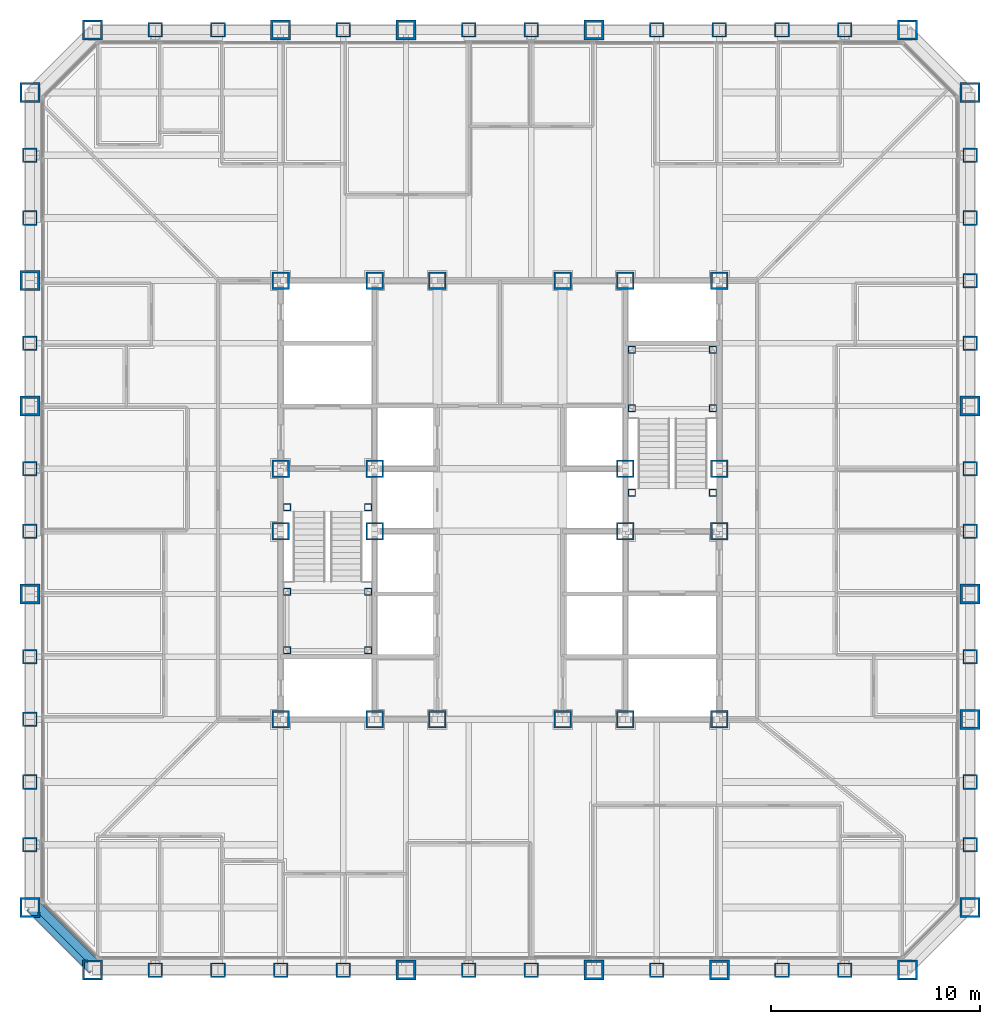
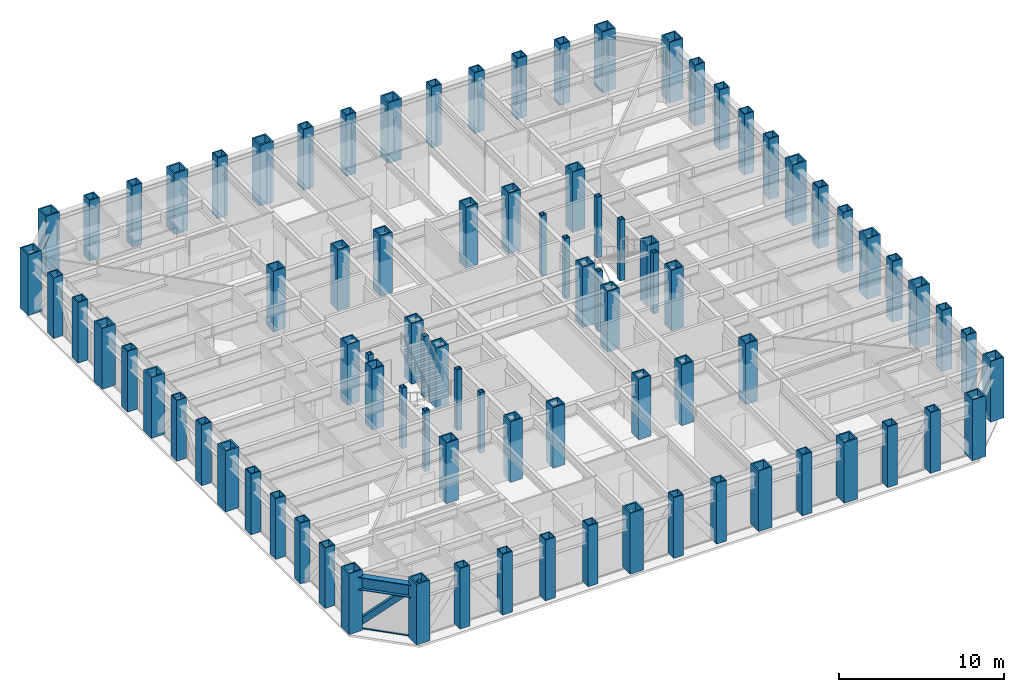
# One storey, part 1 of 17: 88 columns, 2 members, 1 beam, 1 element without a shape of its own.
"""IFC4 building model written with IfcOpenShell, lengths in metres."""

import ifcopenshell
import ifcopenshell.guid

model = None  # the IFC model being written
_history = None  # IfcOwnerHistory: only IFC2X3 demands one
_inside = {}  # id of a spatial element -> (the spatial element, [elements in it])
_under = {}  # id of a project, library or spatial element -> (it, [spatial elements below it])
_declared = {}  # id of a project -> (the project, [libraries it declares])
_typed = {}  # id of a type object -> (the type object, [elements of that type])
_made_of = {}  # id of a material, layer set ... -> (it, [elements and type objects made of it])


def new_model(schema):
    """Start an empty IFC model of exactly this schema.

    Asked for "IFC4X3", IfcOpenShell would pick the latest addendum, in which some entities
    have other attributes; the version numbers below select the first issue.
    IFC2X3 requires an IfcOwnerHistory on every rooted entity: one is made here for all.
    """
    global model, _history
    if schema == "IFC4X3":
        model = ifcopenshell.file(schema_version=(4, 3, 0, 0))
    else:
        model = ifcopenshell.file(schema=schema)
    _inside.clear()
    _under.clear()
    _declared.clear()
    _typed.clear()
    _made_of.clear()
    _history = None
    if model.schema == "IFC2X3":
        org = make("IfcOrganization", Name="unknown")
        user = make(
            "IfcPersonAndOrganization",
            ThePerson=make("IfcPerson", FamilyName="unknown"),
            TheOrganization=org,
        )
        app = make(
            "IfcApplication",
            ApplicationDeveloper=org,
            Version="unknown",
            ApplicationFullName="unknown",
            ApplicationIdentifier="unknown",
        )
        _history = make(
            "IfcOwnerHistory",
            OwningUser=user,
            OwningApplication=app,
            ChangeAction="ADDED",
            CreationDate=0,
        )
    return model


def make(cls, **values):
    """One entity of the class cls with the attributes given. An attribute that is None is left unset."""
    return model.create_entity(
        cls, **{name: value for name, value in values.items() if value is not None}
    )


def rooted(cls, **values):
    """An entity with a GlobalId (a new one), such as an element, a storey or a relation."""
    return make(cls, GlobalId=ifcopenshell.guid.new(), OwnerHistory=_history, **values)


def si_unit(unit_type, name, prefix=None):
    """IfcSIUnit, for example si_unit("LENGTHUNIT", "METRE", prefix="MILLI")."""
    return make("IfcSIUnit", UnitType=unit_type, Prefix=prefix, Name=name)


def assignment(units):
    """IfcUnitAssignment: the units of a project."""
    return None if units is None else make("IfcUnitAssignment", Units=units)


def point(xyz):
    """IfcCartesianPoint."""
    return None if xyz is None else make("IfcCartesianPoint", Coordinates=xyz)


def direction(xyz):
    """IfcDirection."""
    return None if xyz is None else make("IfcDirection", DirectionRatios=xyz)


def frame(location, z_axis=None, x_axis=None):
    """IfcAxis2Placement3D, a coordinate frame: its origin and axes. An axis left out is left unset."""
    return make(
        "IfcAxis2Placement3D",
        Location=point(location),
        Axis=direction(z_axis),
        RefDirection=direction(x_axis),
    )


def frame_2d(location, x_axis=None):
    """IfcAxis2Placement2D, a coordinate frame in the plane: its origin and x axis."""
    return make(
        "IfcAxis2Placement2D", Location=point(location), RefDirection=direction(x_axis)
    )


def origin():
    """The frame at (0, 0, 0) with its axes left unset."""
    return frame((0.0, 0.0, 0.0))


def origin_2d():
    """The frame at (0, 0) in the plane with its x axis left unset."""
    return frame_2d((0.0, 0.0))


def place(relative_to, where):
    """IfcLocalPlacement: puts the frame where relative to a parent placement (None: the world)."""
    return make(
        "IfcLocalPlacement", PlacementRelTo=relative_to, RelativePlacement=where
    )


def context(
    kind, dimensions, precision=None, world=None, true_north=None, identifier=None
):
    """IfcGeometricRepresentationContext, for example the 3D "Model" context."""
    return make(
        "IfcGeometricRepresentationContext",
        ContextIdentifier=identifier,
        ContextType=kind,
        CoordinateSpaceDimension=dimensions,
        Precision=precision,
        WorldCoordinateSystem=world,
        TrueNorth=true_north,
    )


def subcontext(parent, identifier, kind, view, scale=None):
    """IfcGeometricRepresentationSubContext, for example "Body" below "Model"."""
    return make(
        "IfcGeometricRepresentationSubContext",
        ContextIdentifier=identifier,
        ContextType=kind,
        ParentContext=parent,
        TargetScale=scale,
        TargetView=view,
    )


def project(units=None, contexts=None):
    """IfcProject with its units and contexts."""
    return rooted(
        "IfcProject",
        Name="project",
        RepresentationContexts=contexts,
        UnitsInContext=assignment(units),
    )


def spatial(cls, under=None, at=None, **own):
    """A site, building, storey or space (cls), placed at a placement, below another one or the project."""
    s = rooted(cls, ObjectPlacement=at, **own)
    if under is not None:
        _under.setdefault(under.id(), (under, []))[1].append(s)
    return s


def profile(cls, at=None, kind="AREA", **sizes):
    """A parametric profile (cls). Its sizes go by their IFC names, for example OverallWidth=200.0."""
    return make(cls, ProfileType=kind, Position=at, **sizes)


def rectangle(**sizes):
    """IfcRectangleProfileDef."""
    return profile("IfcRectangleProfileDef", **sizes)


def hollow_rectangle(**sizes):
    """IfcRectangleHollowProfileDef."""
    return profile("IfcRectangleHollowProfileDef", **sizes)


def i_section(**sizes):
    """IfcIShapeProfileDef."""
    return profile("IfcIShapeProfileDef", **sizes)


def extrude(swept, where, along, depth):
    """IfcExtrudedAreaSolid: the profile swept, set in the frame where, extruded along a direction by depth."""
    return make(
        "IfcExtrudedAreaSolid",
        SweptArea=swept,
        Position=where,
        ExtrudedDirection=direction(along),
        Depth=depth,
    )


def shape(context_of_items, identifier, shape_type, items):
    """IfcShapeRepresentation: the items that make up one representation, for example the "Body"."""
    return make(
        "IfcShapeRepresentation",
        ContextOfItems=context_of_items,
        RepresentationIdentifier=identifier,
        RepresentationType=shape_type,
        Items=items,
    )


def material(Name=None, Category=None):
    """IfcMaterial."""
    return make("IfcMaterial", Name=Name, Category=Category)


def layer(
    of_material, thickness, ventilated=None, Name=None, Category=None, Priority=None
):
    """IfcMaterialLayer: one layer of a wall or slab, of a material (None: an air gap)."""
    return make(
        "IfcMaterialLayer",
        Material=of_material,
        LayerThickness=thickness,
        IsVentilated=ventilated,
        Name=Name,
        Category=Category,
        Priority=Priority,
    )


def layer_set(layers, Name=None):
    """IfcMaterialLayerSet."""
    return make("IfcMaterialLayerSet", MaterialLayers=layers, LayerSetName=Name)


def material_profile(
    of_material, cross_section, Name=None, Category=None, Priority=None
):
    """IfcMaterialProfile: a cross section and its material."""
    return make(
        "IfcMaterialProfile",
        Name=Name,
        Material=of_material,
        Profile=cross_section,
        Priority=Priority,
        Category=Category,
    )


def profile_set(profiles, Name=None, composite=None):
    """IfcMaterialProfileSet."""
    return make(
        "IfcMaterialProfileSet",
        Name=Name,
        MaterialProfiles=profiles,
        CompositeProfile=composite,
    )


def made_of(thing, what):
    """Note that an element or type object is made of a material, layer set ...; save() writes the relation."""
    if what is not None:
        _made_of.setdefault(what.id(), (what, []))[1].append(thing)
    return thing


def type_object(cls, material=None, **own):
    """A type object (cls), such as IfcWallType, which elements share."""
    return made_of(rooted(cls, **own), material)


def element(
    cls,
    number,
    at=None,
    inside=None,
    cuts=None,
    type_object=None,
    material=None,
    context=None,
    identifier="Body",
    shape_type=None,
    held_by="IfcProductDefinitionShape",
    body=None,
    shapes=None,
    **own,
):
    """One element of the class cls, such as IfcWall. Its Tag is "e" and its number.

    at: its placement. inside: the storey or other place that contains it. cuts: it is an
    opening in that element (IfcRelVoidsElement). A single representation is given by context,
    identifier, shape_type and body (its items); several are given by shapes. held_by: the class
    of the entity that holds the representations. save() writes the other relations.
    """
    e = rooted(cls, Tag="e%d" % number, ObjectPlacement=at, **own)
    if body is not None:
        shapes = [shape(context, identifier, shape_type, body)]
    if shapes is not None:
        e.Representation = make(held_by, Representations=shapes)
    if inside is not None:
        _inside.setdefault(inside.id(), (inside, []))[1].append(e)
    if cuts is not None:
        rooted(
            "IfcRelVoidsElement", RelatingBuildingElement=cuts, RelatedOpeningElement=e
        )
    if type_object is not None:
        _typed.setdefault(type_object.id(), (type_object, []))[1].append(e)
    return made_of(e, material)


def aggregate(whole, parts):
    """IfcRelAggregates: a whole, such as a stair, and the parts it consists of."""
    return rooted("IfcRelAggregates", RelatingObject=whole, RelatedObjects=parts)


def save(model, path):
    """Write the relations noted so far, then the file.

    IfcRelAggregates (storeys below a building ...), IfcRelContainedInSpatialStructure (elements
    in a storey), IfcRelDefinesByType, IfcRelAssociatesMaterial and IfcRelDeclares: one each for
    every whole, place, type object, material and project.
    """
    for whole, parts in _under.values():
        aggregate(whole, parts)
    for where, things in _inside.values():
        rooted(
            "IfcRelContainedInSpatialStructure",
            RelatedElements=things,
            RelatingStructure=where,
        )
    for kind, things in _typed.values():
        rooted("IfcRelDefinesByType", RelatedObjects=things, RelatingType=kind)
    for what, things in _made_of.values():
        rooted("IfcRelAssociatesMaterial", RelatedObjects=things, RelatingMaterial=what)
    for by, libraries in _declared.values():
        rooted("IfcRelDeclares", RelatingContext=by, RelatedDefinitions=libraries)
    model.write(path)


model = new_model("IFC4")

# Units and contexts
model_context = context("Model", 3, precision=1e-05, world=origin(), true_north=direction((0.0, 1.0)))
body_context = subcontext(model_context, "Body", "Model", "MODEL_VIEW")
ifc_project = project(units=[si_unit("LENGTHUNIT", "METRE"), si_unit("AREAUNIT", "SQUARE_METRE"), si_unit("VOLUMEUNIT", "CUBIC_METRE"), si_unit("PLANEANGLEUNIT", "RADIAN"), si_unit("MASSUNIT", "GRAM", prefix="KILO")], contexts=[model_context])

# Site, building, storey
site_placement = place(None, origin())
site = spatial("IfcSite", under=ifc_project, at=site_placement, CompositionType="ELEMENT")
building_placement = place(site_placement, origin())
building = spatial("IfcBuilding", under=site, at=building_placement, Name="Chuquiago Exchange Tower", CompositionType="ELEMENT")
storey_placement = place(building_placement, frame((0.0, 0.0, 46.800048828125)))
storey = spatial("IfcBuildingStorey", under=building, at=storey_placement, Name="L09", CompositionType="ELEMENT", Elevation=46.800048828125)

# Columns
ifc_material_1 = material(Name="Steel ASTM A572 Grade 50", Category="steel")
ifc_material_profile_1 = material_profile(ifc_material_1, hollow_rectangle(XDim=0.699951171875, YDim=0.699951171875, WallThickness=0.070068359375, at=origin_2d()), Name="BOX700X700X70")
ifc_profile_set_1 = profile_set([ifc_material_profile_1], Name="Steel ASTM A572 Grade 50")
column_type_1 = type_object("IfcColumnType", Name="C2 BOX700X700X70", PredefinedType="COLUMN", material=ifc_profile_set_1)
for number, where, z_axis, x_axis, name in (
    (1, (6.0, 0.0, 0.0), (0.0, 0.0, 1.0), (0.0, -1.0, 0.0), "COL-L09-6_0"),
    (2, (9.0, 0.0, 0.0), (0.0, 0.0, 1.0), (0.0, -1.0, 0.0), "COL-L09-9_0"),
    (3, (12.0, 0.0, 0.0), (0.0, 0.0, 1.0), (0.0, -1.0, 0.0), "COL-L09-12_0"),
    (4, (15.0, 0.0, 0.0), (0.0, 0.0, 1.0), (0.0, -1.0, 0.0), "COL-L09-15_0"),
    (5, (21.0, 0.0, 0.0), (0.0, 0.0, 1.0), (0.0, -1.0, 0.0), "COL-L09-21_0"),
    (6, (24.0, 0.0, 0.0), (0.0, 0.0, 1.0), (0.0, -1.0, 0.0), "COL-L09-24_0"),
    (7, (30.0, 0.0, 0.0), (0.0, 0.0, 1.0), (0.0, -1.0, 0.0), "COL-L09-30_0"),
    (8, (36.0, 0.0, 0.0), (0.0, 0.0, 1.0), (0.0, -1.0, 0.0), "COL-L09-36_0"),
    (9, (39.0, 0.0, 0.0), (0.0, 0.0, 1.0), (0.0, -1.0, 0.0), "COL-L09-39_0"),
    (10, (45.0, 6.0, 0.0), (0.0, 0.0, 1.0), (1.0, 0.0, 0.0), "COL-L09-45_6"),
    (11, (45.0, 9.0, 0.0), (0.0, 0.0, 1.0), (1.0, 0.0, 0.0), "COL-L09-45_9"),
    (12, (45.0, 15.0, 0.0), (0.0, 0.0, 1.0), (1.0, 0.0, 0.0), "COL-L09-45_15"),
    (13, (45.0, 21.0, 0.0), (0.0, 0.0, 1.0), (1.0, 0.0, 0.0), "COL-L09-45_21"),
    (14, (45.0, 24.0, 0.0), (0.0, 0.0, 1.0), (1.0, 0.0, 0.0), "COL-L09-45_24"),
    (15, (45.0, 30.0, 0.0), (0.0, 0.0, 1.0), (1.0, 0.0, 0.0), "COL-L09-45_30"),
    (16, (45.0, 33.0, 0.0), (0.0, 0.0, 1.0), (1.0, 0.0, 0.0), "COL-L09-45_33"),
    (17, (45.0, 36.0, 0.0), (0.0, 0.0, 1.0), (1.0, 0.0, 0.0), "COL-L09-45_36"),
    (18, (45.0, 39.0, 0.0), (0.0, 0.0, 1.0), (1.0, 0.0, 0.0), "COL-L09-45_39"),
    (19, (39.0, 45.0, 0.0), (0.0, 0.0, 1.0), (0.0, 1.0, 0.0), "COL-L09-39_45"),
    (20, (36.0, 45.0, 0.0), (0.0, 0.0, 1.0), (0.0, 1.0, 0.0), "COL-L09-36_45"),
    (21, (33.0, 45.0, 0.0), (0.0, 0.0, 1.0), (0.0, 1.0, 0.0), "COL-L09-33_45"),
    (22, (30.0, 45.0, 0.0), (0.0, 0.0, 1.0), (0.0, 1.0, 0.0), "COL-L09-30_45"),
    (23, (24.0, 45.0, 0.0), (0.0, 0.0, 1.0), (0.0, 1.0, 0.0), "COL-L09-24_45"),
    (24, (21.0, 45.0, 0.0), (0.0, 0.0, 1.0), (0.0, 1.0, 0.0), "COL-L09-21_45"),
    (25, (15.0, 45.0, 0.0), (0.0, 0.0, 1.0), (0.0, 1.0, 0.0), "COL-L09-15_45"),
    (26, (9.0, 45.0, 0.0), (0.0, 0.0, 1.0), (0.0, 1.0, 0.0), "COL-L09-9_45"),
    (27, (6.0, 45.0, 0.0), (0.0, 0.0, 1.0), (0.0, 1.0, 0.0), "COL-L09-6_45"),
    (28, (0.0, 39.0, 0.0), (0.0, 0.0, 1.0), (-1.0, 0.0, 0.0), "COL-L09-0_39"),
    (29, (0.0, 36.0, 0.0), (0.0, 0.0, 1.0), (-1.0, 0.0, 0.0), "COL-L09-0_36"),
    (30, (0.0, 30.0, 0.0), (0.0, 0.0, 1.0), (-1.0, 0.0, 0.0), "COL-L09-0_30"),
    (31, (0.0, 24.0, 0.0), (0.0, 0.0, 1.0), (-1.0, 0.0, 0.0), "COL-L09-0_24"),
    (32, (0.0, 21.0, 0.0), (0.0, 0.0, 1.0), (-1.0, 0.0, 0.0), "COL-L09-0_21"),
    (33, (0.0, 15.0, 0.0), (0.0, 0.0, 1.0), (-1.0, 0.0, 0.0), "COL-L09-0_15"),
    (34, (0.0, 12.0, 0.0), (0.0, 0.0, 1.0), (-1.0, 0.0, 0.0), "COL-L09-0_12"),
    (35, (0.0, 9.0, 0.0), (0.0, 0.0, 1.0), (-1.0, 0.0, 0.0), "COL-L09-0_9"),
    (36, (0.0, 6.0, 0.0), (0.0, 0.0, 1.0), (-1.0, 0.0, 0.0), "COL-L09-0_6"),
):
    element("IfcColumn", number, at=place(storey_placement, frame(where, z_axis=z_axis, x_axis=x_axis)), inside=storey, type_object=column_type_1, Name=name, PredefinedType="COLUMN", context=body_context, shape_type="SweptSolid", body=[
        extrude(hollow_rectangle(XDim=0.699951171875, YDim=0.699951171875, WallThickness=0.070068359375, at=origin_2d()), origin(), (0.0, 0.0, 1.0), 4.5),
    ])
ifc_material_2 = material(Name="Steel ASTM A572 Grade 50", Category="steel")
ifc_material_profile_2 = material_profile(ifc_material_2, hollow_rectangle(XDim=0.85009765625, YDim=0.85009765625, WallThickness=0.0849609375, at=origin_2d()), Name="BOX850X850X85")
ifc_profile_set_2 = profile_set([ifc_material_profile_2], Name="Steel ASTM A572 Grade 50")
column_type_2 = type_object("IfcColumnType", Name="CC2 BOX850X850X85", PredefinedType="COLUMN", material=ifc_profile_set_2)
for number, where, z_axis, x_axis, name in (
    (37, (16.5, 12.0, 0.0), (0.0, 0.0, 1.0), (1.0, 0.0, 0.0), "CCOL-L09-16.5_12"),
    (38, (19.5, 12.0, 0.0), (0.0, 0.0, 1.0), (1.0, 0.0, 0.0), "CCOL-L09-19.5_12"),
    (39, (25.5, 12.0, 0.0), (0.0, 0.0, 1.0), (1.0, 0.0, 0.0), "CCOL-L09-25.5_12"),
    (40, (28.5, 12.0, 0.0), (0.0, 0.0, 1.0), (1.0, 0.0, 0.0), "CCOL-L09-28.5_12"),
    (41, (16.5, 33.0, 0.0), (0.0, 0.0, 1.0), (1.0, 0.0, 0.0), "CCOL-L09-16.5_33"),
    (42, (19.5, 33.0, 0.0), (0.0, 0.0, 1.0), (1.0, 0.0, 0.0), "CCOL-L09-19.5_33"),
    (43, (25.5, 33.0, 0.0), (0.0, 0.0, 1.0), (1.0, 0.0, 0.0), "CCOL-L09-25.5_33"),
    (44, (28.5, 33.0, 0.0), (0.0, 0.0, 1.0), (1.0, 0.0, 0.0), "CCOL-L09-28.5_33"),
    (45, (12.0, 21.0, 0.0), (0.0, 0.0, 1.0), (1.0, 0.0, 0.0), "CCOL-L09-12_21"),
    (46, (12.0, 24.0, 0.0), (0.0, 0.0, 1.0), (1.0, 0.0, 0.0), "CCOL-L09-12_24"),
    (47, (33.0, 21.0, 0.0), (0.0, 0.0, 1.0), (1.0, 0.0, 0.0), "CCOL-L09-33_21"),
    (48, (33.0, 24.0, 0.0), (0.0, 0.0, 1.0), (1.0, 0.0, 0.0), "CCOL-L09-33_24"),
    (49, (16.5, 21.0, 0.0), (0.0, 0.0, 1.0), (1.0, 0.0, 0.0), "CCOL-L09-16.5_21"),
    (50, (16.5, 24.0, 0.0), (0.0, 0.0, 1.0), (1.0, 0.0, 0.0), "CCOL-L09-16.5_24"),
    (51, (28.5, 21.0, 0.0), (0.0, 0.0, 1.0), (1.0, 0.0, 0.0), "CCOL-L09-28.5_21"),
    (52, (28.5, 24.0, 0.0), (0.0, 0.0, 1.0), (1.0, 0.0, 0.0), "CCOL-L09-28.5_24"),
):
    element("IfcColumn", number, at=place(storey_placement, frame(where, z_axis=z_axis, x_axis=x_axis)), inside=storey, type_object=column_type_2, Name=name, PredefinedType="COLUMN", context=body_context, shape_type="SweptSolid", body=[
        extrude(hollow_rectangle(XDim=0.85009765625, YDim=0.85009765625, WallThickness=0.0849609375, at=origin_2d()), origin(), (0.0, 0.0, 1.0), 4.5),
    ])
ifc_material_3 = material(Name="Steel ASTM A572 Grade 50", Category="steel")
ifc_material_profile_3 = material_profile(ifc_material_3, hollow_rectangle(XDim=0.85009765625, YDim=0.85009765625, WallThickness=0.0849609375, at=origin_2d()), Name="BOX850X850X85")
ifc_profile_set_3 = profile_set([ifc_material_profile_3], Name="Steel ASTM A572 Grade 50")
column_type_3 = type_object("IfcColumnType", Name="CC6 BOX850X850X85", PredefinedType="COLUMN", material=ifc_profile_set_3)
for number, where, z_axis, x_axis, name in (
    (53, (12.0, 12.0, 0.0), (0.0, 0.0, 1.0), (1.0, 0.0, 0.0), "CCOL-L09-12_12"),
    (54, (33.0, 12.0, 0.0), (0.0, 0.0, 1.0), (1.0, 0.0, 0.0), "CCOL-L09-33_12"),
    (55, (12.0, 33.0, 0.0), (0.0, 0.0, 1.0), (1.0, 0.0, 0.0), "CCOL-L09-12_33"),
    (56, (33.0, 33.0, 0.0), (0.0, 0.0, 1.0), (1.0, 0.0, 0.0), "CCOL-L09-33_33"),
):
    element("IfcColumn", number, at=place(storey_placement, frame(where, z_axis=z_axis, x_axis=x_axis)), inside=storey, type_object=column_type_3, Name=name, PredefinedType="COLUMN", context=body_context, shape_type="SweptSolid", body=[
        extrude(hollow_rectangle(XDim=0.85009765625, YDim=0.85009765625, WallThickness=0.0849609375, at=origin_2d()), origin(), (0.0, 0.0, 1.0), 4.5),
    ])
ifc_material_4 = material(Name="Steel ASTM A572 Grade 50", Category="steel")
ifc_material_profile_4 = material_profile(ifc_material_4, hollow_rectangle(XDim=0.949951171875, YDim=0.949951171875, WallThickness=0.094970703125, at=origin_2d()), Name="BOX950X950X95")
ifc_profile_set_4 = profile_set([ifc_material_profile_4], Name="Steel ASTM A572 Grade 50")
column_type_4 = type_object("IfcColumnType", Name="CN1 BOX950X950X95", PredefinedType="COLUMN", material=ifc_profile_set_4)
for number, where, z_axis, x_axis, name in (
    (57, (3.0, 0.0, 0.0), (0.0, 0.0, 1.0), (0.0, -1.0, 0.0), "COL-L09-3_0"),
    (58, (42.0, 0.0, 0.0), (0.0, 0.0, 1.0), (0.0, -1.0, 0.0), "COL-L09-42_0"),
    (59, (45.0, 3.0, 0.0), (0.0, 0.0, 1.0), (1.0, 0.0, 0.0), "COL-L09-45_3"),
    (60, (45.0, 42.0, 0.0), (0.0, 0.0, 1.0), (1.0, 0.0, 0.0), "COL-L09-45_42"),
    (61, (42.0, 45.0, 0.0), (0.0, 0.0, 1.0), (0.0, 1.0, 0.0), "COL-L09-42_45"),
    (62, (3.0, 45.0, 0.0), (0.0, 0.0, 1.0), (0.0, 1.0, 0.0), "COL-L09-3_45"),
    (63, (0.0, 42.0, 0.0), (0.0, 0.0, 1.0), (-1.0, 0.0, 0.0), "COL-L09-0_42"),
    (64, (0.0, 3.0, 0.0), (0.0, 0.0, 1.0), (-1.0, 0.0, 0.0), "COL-L09-0_3"),
):
    element("IfcColumn", number, at=place(storey_placement, frame(where, z_axis=z_axis, x_axis=x_axis)), inside=storey, type_object=column_type_4, Name=name, PredefinedType="COLUMN", context=body_context, shape_type="SweptSolid", body=[
        extrude(hollow_rectangle(XDim=0.949951171875, YDim=0.949951171875, WallThickness=0.094970703125, at=origin_2d()), origin(), (0.0, 0.0, 1.0), 4.5),
    ])
ifc_material_5 = material(Name="Steel ASTM A572 Grade 42", Category="steel")
ifc_material_profile_5 = material_profile(ifc_material_5, hollow_rectangle(XDim=0.949951171875, YDim=0.949951171875, WallThickness=0.110107421875, at=origin_2d()), Name="BOX950X950X110")
ifc_profile_set_5 = profile_set([ifc_material_profile_5], Name="Steel ASTM A572 Grade 42")
column_type_5 = type_object("IfcColumnType", Name="CT1 BOX950X950X110", PredefinedType="COLUMN", material=ifc_profile_set_5)
for number, where, z_axis, x_axis, name in (
    (65, (18.0, 0.0, 0.0), (0.0, 0.0, 1.0), (0.0, -1.0, 0.0), "COL-L09-18_0"),
    (66, (27.0, 0.0, 0.0), (0.0, 0.0, 1.0), (0.0, -1.0, 0.0), "COL-L09-27_0"),
    (67, (33.0, 0.0, 0.0), (0.0, 0.0, 1.0), (0.0, -1.0, 0.0), "COL-L09-33_0"),
    (68, (45.0, 12.0, 0.0), (0.0, 0.0, 1.0), (1.0, 0.0, 0.0), "COL-L09-45_12"),
    (69, (45.0, 18.0, 0.0), (0.0, 0.0, 1.0), (1.0, 0.0, 0.0), "COL-L09-45_18"),
    (70, (45.0, 27.0, 0.0), (0.0, 0.0, 1.0), (1.0, 0.0, 0.0), "COL-L09-45_27"),
    (71, (27.0, 45.0, 0.0), (0.0, 0.0, 1.0), (0.0, 1.0, 0.0), "COL-L09-27_45"),
    (72, (18.0, 45.0, 0.0), (0.0, 0.0, 1.0), (0.0, 1.0, 0.0), "COL-L09-18_45"),
    (73, (12.0, 45.0, 0.0), (0.0, 0.0, 1.0), (0.0, 1.0, 0.0), "COL-L09-12_45"),
    (74, (0.0, 33.0, 0.0), (0.0, 0.0, 1.0), (-1.0, 0.0, 0.0), "COL-L09-0_33"),
    (75, (0.0, 27.0, 0.0), (0.0, 0.0, 1.0), (-1.0, 0.0, 0.0), "COL-L09-0_27"),
    (76, (0.0, 18.0, 0.0), (0.0, 0.0, 1.0), (-1.0, 0.0, 0.0), "COL-L09-0_18"),
):
    element("IfcColumn", number, at=place(storey_placement, frame(where, z_axis=z_axis, x_axis=x_axis)), inside=storey, type_object=column_type_5, Name=name, PredefinedType="COLUMN", context=body_context, shape_type="SweptSolid", body=[
        extrude(hollow_rectangle(XDim=0.949951171875, YDim=0.949951171875, WallThickness=0.110107421875, at=origin_2d()), origin(), (0.0, 0.0, 1.0), 4.5),
    ])
ifc_material_6 = material(Name="Steel ASTM A572 Grade 50", Category="steel")
ifc_material_profile_6 = material_profile(ifc_material_6, hollow_rectangle(XDim=0.35009765625, YDim=0.35009765625, WallThickness=0.034912109375, at=origin_2d()), Name="BOX350X350X35")
ifc_profile_set_6 = profile_set([ifc_material_profile_6], Name="Steel ASTM A572 Grade 50")
column_type_6 = type_object("IfcColumnType", Name="PT3 BOX350X350X35", PredefinedType="COLUMN", material=ifc_profile_set_6)
for number, where, z_axis, x_axis, name in (
    (77, (12.31005859375, 15.31005859375, 0.0), (0.0, 0.0, 1.0), (1.0, 0.0, 0.0), "Stair ST1 L09 landing post"),
    (78, (16.18994140625, 15.31005859375, 0.0), (0.0, 0.0, 1.0), (1.0, 0.0, 0.0), "Stair ST1 L09 landing post"),
    (79, (12.31005859375, 18.110107421875, 0.0), (0.0, 0.0, 1.0), (1.0, 0.0, 0.0), "Stair ST1 L09 landing post"),
    (80, (16.18994140625, 18.110107421875, 0.0), (0.0, 0.0, 1.0), (1.0, 0.0, 0.0), "Stair ST1 L09 landing post"),
    (81, (12.31005859375, 22.14990234375, 0.0), (0.0, 0.0, 1.0), (1.0, 0.0, 0.0), "Stair ST1 L09 landing post"),
    (82, (16.18994140625, 22.14990234375, 0.0), (0.0, 0.0, 1.0), (1.0, 0.0, 0.0), "Stair ST1 L09 landing post"),
    (83, (28.81005859375, 29.68994140625, 0.0), (0.0, 0.0, 1.0), (1.0, 0.0, 0.0), "Stair ST2 L09 landing post"),
    (84, (32.68994140625, 29.68994140625, 0.0), (0.0, 0.0, 1.0), (1.0, 0.0, 0.0), "Stair ST2 L09 landing post"),
    (85, (28.81005859375, 26.889892578125, 0.0), (0.0, 0.0, 1.0), (1.0, 0.0, 0.0), "Stair ST2 L09 landing post"),
    (86, (32.68994140625, 26.889892578125, 0.0), (0.0, 0.0, 1.0), (1.0, 0.0, 0.0), "Stair ST2 L09 landing post"),
    (87, (28.81005859375, 22.85009765625, 0.0), (0.0, 0.0, 1.0), (1.0, 0.0, 0.0), "Stair ST2 L09 landing post"),
    (88, (32.68994140625, 22.85009765625, 0.0), (0.0, 0.0, 1.0), (1.0, 0.0, 0.0), "Stair ST2 L09 landing post"),
):
    element("IfcColumn", number, at=place(storey_placement, frame(where, z_axis=z_axis, x_axis=x_axis)), inside=storey, type_object=column_type_6, Name=name, PredefinedType="COLUMN", context=body_context, shape_type="SweptSolid", body=[
        extrude(hollow_rectangle(XDim=0.35009765625, YDim=0.35009765625, WallThickness=0.034912109375, at=origin_2d()), origin(), (0.0, 0.0, 1.0), 4.5),
    ])

# Curtain wall, member
ifc_material_7 = material(Name="Aluminium curtain wall system", Category="aluminium")
ifc_layer = layer(ifc_material_7, 0.199951171875)
ifc_layer_set = layer_set([ifc_layer], Name="CW3 facet curtain wall")
curtain_wall_type = type_object("IfcCurtainWallType", Name="CW3 facet curtain wall", PredefinedType="NOTDEFINED", material=ifc_layer_set)
curtain_wall_placement = place(storey_placement, origin())
curtain_wall = element("IfcCurtainWall", 89, at=curtain_wall_placement, inside=storey, type_object=curtain_wall_type, Name="CW3 curtain wall L09", PredefinedType="NOTDEFINED")
ifc_material_8 = material(Name="Aluminium transom, pale anodised", Category="aluminium")
ifc_material_profile_7 = material_profile(ifc_material_8, rectangle(XDim=0.139892578125, YDim=0.06494140625, at=origin_2d()), Name="AL 140x65")
ifc_profile_set_7 = profile_set([ifc_material_profile_7], Name="Aluminium transom, pale anodised")
member_type_1 = type_object("IfcMemberType", Name="CW3-T transom 65x140", PredefinedType="MULLION", material=ifc_profile_set_7)
member_1_placement = place(storey_placement, frame((0.64599609375, 3.20263671875, -0.267578125), z_axis=(0.707106781187, -0.707106781187, 0.0), x_axis=(0.707106781187, 0.707106781187, 0.0)))
member_1 = element("IfcMember", 90, at=member_1_placement, type_object=member_type_1, Name="CW3 transom 1.1", PredefinedType="MULLION", context=body_context, shape_type="SweptSolid", body=[
    extrude(rectangle(XDim=0.139892578125, YDim=0.06494140625, at=origin_2d()), origin(), (0.0, 0.0, 1.0), 3.61572265625),
])
aggregate(curtain_wall, [member_1])

# Member
ifc_material_9 = material(Name="Steel ASTM A500 Grade C", Category="steel")
ifc_material_profile_8 = material_profile(ifc_material_9, hollow_rectangle(XDim=0.406494140625, YDim=0.406494140625, WallThickness=0.0146484375, at=origin_2d()), Name="HSS16X16X5/8")
ifc_profile_set_8 = profile_set([ifc_material_profile_8], Name="Steel ASTM A500 Grade C")
member_type_2 = type_object("IfcMemberType", Name="LB4 HSS16X16X5/8", PredefinedType="BRACE", material=ifc_profile_set_8)
member_2_placement = place(storey_placement, frame((0.21337890625, 3.21337890625, 0.0), z_axis=(0.512077265487, -0.512077265487, 0.689604051861), x_axis=(0.707106781187, 0.707106781187, 0.0)))
element("IfcMember", 91, at=member_2_placement, inside=storey, type_object=member_type_2, Name="LB-L09-0_3-3_0", PredefinedType="BRACE", context=body_context, shape_type="SweptSolid", body=[
    extrude(hollow_rectangle(XDim=0.406494140625, YDim=0.406494140625, WallThickness=0.0146484375, at=origin_2d()), origin(), (0.0, 0.0, 1.0), 5.8583984375),
])

# Beam
ifc_material_10 = material(Name="Steel ASTM A992", Category="steel")
ifc_material_profile_9 = material_profile(ifc_material_10, i_section(OverallWidth=0.424072265625, OverallDepth=0.947509765625, WebThickness=0.02392578125, FlangeThickness=0.042724609375, at=origin_2d()), Name="W36X302")
ifc_profile_set_9 = profile_set([ifc_material_profile_9], Name="Steel ASTM A992")
beam_type = type_object("IfcBeamType", Name="SP1 W36X302", PredefinedType="SPANDREL", material=ifc_profile_set_9)
beam_placement = place(storey_placement, frame((0.0, 3.0, 3.566162109375), z_axis=(0.707106781187, -0.707106781187, 0.0), x_axis=(0.707106781187, 0.707106781187, 0.0)))
element("IfcBeam", 92, at=beam_placement, inside=storey, type_object=beam_type, Name="SPB-L10-0_3-3_0", PredefinedType="SPANDREL", context=body_context, shape_type="SweptSolid", body=[
    extrude(i_section(OverallWidth=0.424072265625, OverallDepth=0.947509765625, WebThickness=0.02392578125, FlangeThickness=0.042724609375, at=origin_2d()), origin(), (0.0, 0.0, 1.0), 4.24267578125),
])

save(model, "model.ifc")
